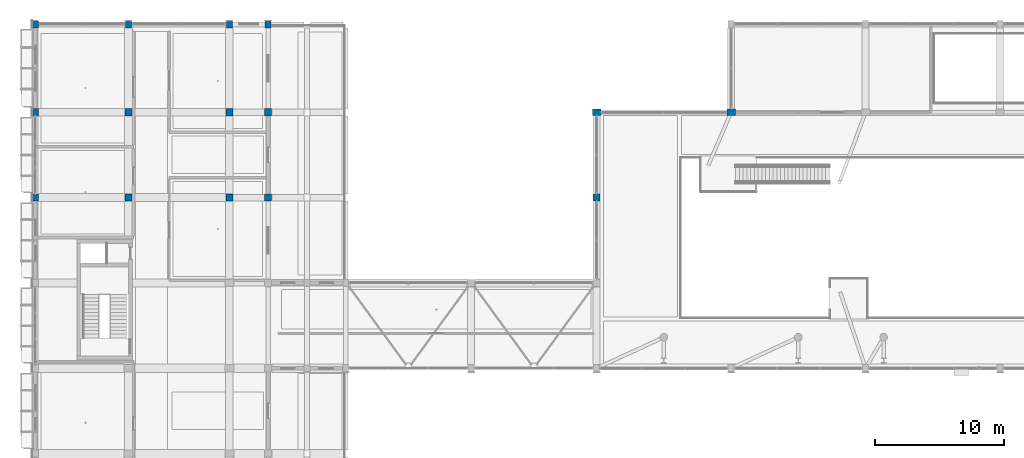
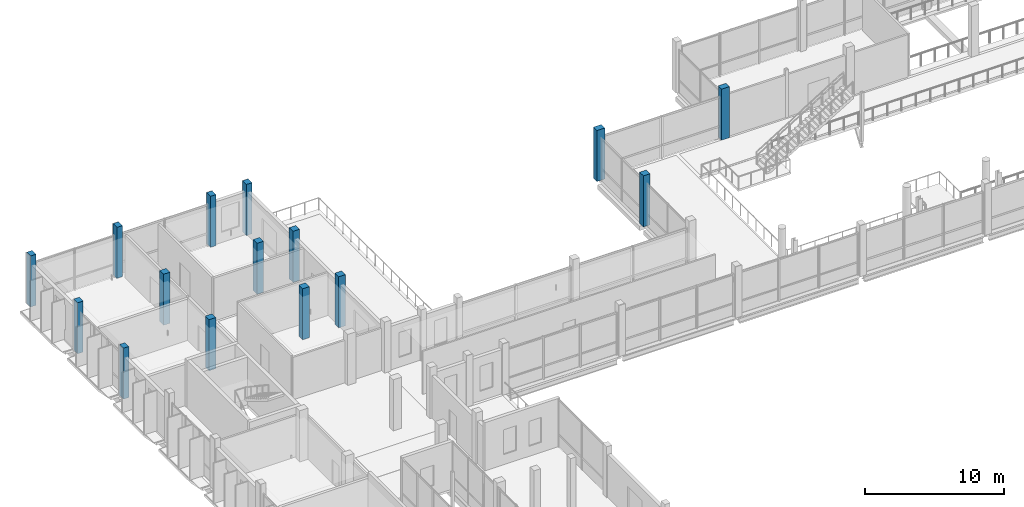
# One storey, part 7 of 95: 15 columns.
"""IFC4 building model written with IfcOpenShell, lengths in metres."""

import ifcopenshell
import ifcopenshell.guid

model = None  # the IFC model being written
_history = None  # IfcOwnerHistory: only IFC2X3 demands one
_inside = {}  # id of a spatial element -> (the spatial element, [elements in it])
_under = {}  # id of a project, library or spatial element -> (it, [spatial elements below it])
_declared = {}  # id of a project -> (the project, [libraries it declares])
_typed = {}  # id of a type object -> (the type object, [elements of that type])
_made_of = {}  # id of a material, layer set ... -> (it, [elements and type objects made of it])


def new_model(schema):
    """Start an empty IFC model of exactly this schema.

    Asked for "IFC4X3", IfcOpenShell would pick the latest addendum, in which some entities
    have other attributes; the version numbers below select the first issue.
    IFC2X3 requires an IfcOwnerHistory on every rooted entity: one is made here for all.
    """
    global model, _history
    if schema == "IFC4X3":
        model = ifcopenshell.file(schema_version=(4, 3, 0, 0))
    else:
        model = ifcopenshell.file(schema=schema)
    _inside.clear()
    _under.clear()
    _declared.clear()
    _typed.clear()
    _made_of.clear()
    _history = None
    if model.schema == "IFC2X3":
        org = make("IfcOrganization", Name="unknown")
        user = make(
            "IfcPersonAndOrganization",
            ThePerson=make("IfcPerson", FamilyName="unknown"),
            TheOrganization=org,
        )
        app = make(
            "IfcApplication",
            ApplicationDeveloper=org,
            Version="unknown",
            ApplicationFullName="unknown",
            ApplicationIdentifier="unknown",
        )
        _history = make(
            "IfcOwnerHistory",
            OwningUser=user,
            OwningApplication=app,
            ChangeAction="ADDED",
            CreationDate=0,
        )
    return model


def make(cls, **values):
    """One entity of the class cls with the attributes given. An attribute that is None is left unset."""
    return model.create_entity(
        cls, **{name: value for name, value in values.items() if value is not None}
    )


def rooted(cls, **values):
    """An entity with a GlobalId (a new one), such as an element, a storey or a relation."""
    return make(cls, GlobalId=ifcopenshell.guid.new(), OwnerHistory=_history, **values)


def si_unit(unit_type, name, prefix=None):
    """IfcSIUnit, for example si_unit("LENGTHUNIT", "METRE", prefix="MILLI")."""
    return make("IfcSIUnit", UnitType=unit_type, Prefix=prefix, Name=name)


def derived_unit(unit_type, elements):
    """IfcDerivedUnit: a product of units, each with its exponent."""
    return make(
        "IfcDerivedUnit",
        Elements=[
            make("IfcDerivedUnitElement", Unit=unit, Exponent=power)
            for unit, power in elements
        ],
        UnitType=unit_type,
    )


def assignment(units):
    """IfcUnitAssignment: the units of a project."""
    return None if units is None else make("IfcUnitAssignment", Units=units)


def point(xyz):
    """IfcCartesianPoint."""
    return None if xyz is None else make("IfcCartesianPoint", Coordinates=xyz)


def direction(xyz):
    """IfcDirection."""
    return None if xyz is None else make("IfcDirection", DirectionRatios=xyz)


def frame(location, z_axis=None, x_axis=None):
    """IfcAxis2Placement3D, a coordinate frame: its origin and axes. An axis left out is left unset."""
    return make(
        "IfcAxis2Placement3D",
        Location=point(location),
        Axis=direction(z_axis),
        RefDirection=direction(x_axis),
    )


def frame_2d(location, x_axis=None):
    """IfcAxis2Placement2D, a coordinate frame in the plane: its origin and x axis."""
    return make(
        "IfcAxis2Placement2D", Location=point(location), RefDirection=direction(x_axis)
    )


def origin():
    """The frame at (0, 0, 0) with its axes left unset."""
    return frame((0.0, 0.0, 0.0))


def origin_2d():
    """The frame at (0, 0) in the plane with its x axis left unset."""
    return frame_2d((0.0, 0.0))


def place(relative_to, where):
    """IfcLocalPlacement: puts the frame where relative to a parent placement (None: the world)."""
    return make(
        "IfcLocalPlacement", PlacementRelTo=relative_to, RelativePlacement=where
    )


def context(
    kind, dimensions, precision=None, world=None, true_north=None, identifier=None
):
    """IfcGeometricRepresentationContext, for example the 3D "Model" context."""
    return make(
        "IfcGeometricRepresentationContext",
        ContextIdentifier=identifier,
        ContextType=kind,
        CoordinateSpaceDimension=dimensions,
        Precision=precision,
        WorldCoordinateSystem=world,
        TrueNorth=true_north,
    )


def subcontext(parent, identifier, kind, view, scale=None):
    """IfcGeometricRepresentationSubContext, for example "Body" below "Model"."""
    return make(
        "IfcGeometricRepresentationSubContext",
        ContextIdentifier=identifier,
        ContextType=kind,
        ParentContext=parent,
        TargetScale=scale,
        TargetView=view,
    )


def project(units=None, contexts=None):
    """IfcProject with its units and contexts."""
    return rooted(
        "IfcProject",
        Name="project",
        RepresentationContexts=contexts,
        UnitsInContext=assignment(units),
    )


def spatial(cls, under=None, at=None, **own):
    """A site, building, storey or space (cls), placed at a placement, below another one or the project."""
    s = rooted(cls, ObjectPlacement=at, **own)
    if under is not None:
        _under.setdefault(under.id(), (under, []))[1].append(s)
    return s


def profile(cls, at=None, kind="AREA", **sizes):
    """A parametric profile (cls). Its sizes go by their IFC names, for example OverallWidth=200.0."""
    return make(cls, ProfileType=kind, Position=at, **sizes)


def rectangle(**sizes):
    """IfcRectangleProfileDef."""
    return profile("IfcRectangleProfileDef", **sizes)


def extrude(swept, where, along, depth):
    """IfcExtrudedAreaSolid: the profile swept, set in the frame where, extruded along a direction by depth."""
    return make(
        "IfcExtrudedAreaSolid",
        SweptArea=swept,
        Position=where,
        ExtrudedDirection=direction(along),
        Depth=depth,
    )


def shape(context_of_items, identifier, shape_type, items):
    """IfcShapeRepresentation: the items that make up one representation, for example the "Body"."""
    return make(
        "IfcShapeRepresentation",
        ContextOfItems=context_of_items,
        RepresentationIdentifier=identifier,
        RepresentationType=shape_type,
        Items=items,
    )


def material(Name=None, Category=None):
    """IfcMaterial."""
    return make("IfcMaterial", Name=Name, Category=Category)


def material_profile(
    of_material, cross_section, Name=None, Category=None, Priority=None
):
    """IfcMaterialProfile: a cross section and its material."""
    return make(
        "IfcMaterialProfile",
        Name=Name,
        Material=of_material,
        Profile=cross_section,
        Priority=Priority,
        Category=Category,
    )


def profile_set(profiles, Name=None, composite=None):
    """IfcMaterialProfileSet."""
    return make(
        "IfcMaterialProfileSet",
        Name=Name,
        MaterialProfiles=profiles,
        CompositeProfile=composite,
    )


def made_of(thing, what):
    """Note that an element or type object is made of a material, layer set ...; save() writes the relation."""
    if what is not None:
        _made_of.setdefault(what.id(), (what, []))[1].append(thing)
    return thing


def type_object(cls, material=None, **own):
    """A type object (cls), such as IfcWallType, which elements share."""
    return made_of(rooted(cls, **own), material)


def element(
    cls,
    number,
    at=None,
    inside=None,
    cuts=None,
    type_object=None,
    material=None,
    context=None,
    identifier="Body",
    shape_type=None,
    held_by="IfcProductDefinitionShape",
    body=None,
    shapes=None,
    **own,
):
    """One element of the class cls, such as IfcWall. Its Tag is "e" and its number.

    at: its placement. inside: the storey or other place that contains it. cuts: it is an
    opening in that element (IfcRelVoidsElement). A single representation is given by context,
    identifier, shape_type and body (its items); several are given by shapes. held_by: the class
    of the entity that holds the representations. save() writes the other relations.
    """
    e = rooted(cls, Tag="e%d" % number, ObjectPlacement=at, **own)
    if body is not None:
        shapes = [shape(context, identifier, shape_type, body)]
    if shapes is not None:
        e.Representation = make(held_by, Representations=shapes)
    if inside is not None:
        _inside.setdefault(inside.id(), (inside, []))[1].append(e)
    if cuts is not None:
        rooted(
            "IfcRelVoidsElement", RelatingBuildingElement=cuts, RelatedOpeningElement=e
        )
    if type_object is not None:
        _typed.setdefault(type_object.id(), (type_object, []))[1].append(e)
    return made_of(e, material)


def aggregate(whole, parts):
    """IfcRelAggregates: a whole, such as a stair, and the parts it consists of."""
    return rooted("IfcRelAggregates", RelatingObject=whole, RelatedObjects=parts)


def save(model, path):
    """Write the relations noted so far, then the file.

    IfcRelAggregates (storeys below a building ...), IfcRelContainedInSpatialStructure (elements
    in a storey), IfcRelDefinesByType, IfcRelAssociatesMaterial and IfcRelDeclares: one each for
    every whole, place, type object, material and project.
    """
    for whole, parts in _under.values():
        aggregate(whole, parts)
    for where, things in _inside.values():
        rooted(
            "IfcRelContainedInSpatialStructure",
            RelatedElements=things,
            RelatingStructure=where,
        )
    for kind, things in _typed.values():
        rooted("IfcRelDefinesByType", RelatedObjects=things, RelatingType=kind)
    for what, things in _made_of.values():
        rooted("IfcRelAssociatesMaterial", RelatedObjects=things, RelatingMaterial=what)
    for by, libraries in _declared.values():
        rooted("IfcRelDeclares", RelatingContext=by, RelatedDefinitions=libraries)
    model.write(path)


model = new_model("IFC4")

# Units and contexts
model_context = context("Model", 3, precision=1e-05, world=origin(), true_north=direction((0.0, 1.0)))
body_context = subcontext(model_context, "Body", "Model", "MODEL_VIEW")
ifc_project = project(units=[si_unit("LENGTHUNIT", "METRE"), si_unit("AREAUNIT", "SQUARE_METRE"), si_unit("VOLUMEUNIT", "CUBIC_METRE"), si_unit("PLANEANGLEUNIT", "RADIAN"), si_unit("MASSUNIT", "GRAM", prefix="KILO"), derived_unit("THERMALTRANSMITTANCEUNIT", [(si_unit("POWERUNIT", "WATT"), 1), (si_unit("LENGTHUNIT", "METRE"), -2), (si_unit("THERMODYNAMICTEMPERATUREUNIT", "KELVIN"), -1)])], contexts=[model_context])

# Site, building, storey
site_placement = place(None, origin())
site = spatial("IfcSite", under=ifc_project, at=site_placement, CompositionType="ELEMENT")
building_placement = place(site_placement, origin())
building = spatial("IfcBuilding", under=site, at=building_placement, Name="Braskholm Square Health Centre", CompositionType="ELEMENT")
storey_placement = place(building_placement, frame((0.0, 0.0, 4.800048828125)))
storey = spatial("IfcBuildingStorey", under=building, at=storey_placement, Name="L02", CompositionType="ELEMENT", Elevation=4.800048828125)

# Columns
ifc_material_1 = material(Name="Concrete C40/50 (f'c = 40 MPa)", Category="concrete")
ifc_material_profile_1 = material_profile(ifc_material_1, rectangle(XDim=0.64990234375, YDim=0.5, at=origin_2d()), Name="RC-650X500")
ifc_profile_set_1 = profile_set([ifc_material_profile_1], Name="Concrete C40/50 (f'c = 40 MPa)")
column_type_1 = type_object("IfcColumnType", Name="ColHallPier650x500", PredefinedType="COLUMN", material=ifc_profile_set_1)
for number, where, z_axis, x_axis, name in (
    (1, (47.60009765625, 107.0, 0.0), (0.0, 0.0, 1.0), (1.0, 0.0, 0.0), "Column 8/R L02"),
    (2, (58.0, 107.0, 0.0), (0.0, 0.0, 1.0), (1.0, 0.0, 0.0), "Column 9/R L02"),
):
    element("IfcColumn", number, at=place(storey_placement, frame(where, z_axis=z_axis, x_axis=x_axis)), inside=storey, type_object=column_type_1, Name=name, PredefinedType="COLUMN", context=body_context, shape_type="SweptSolid", body=[
        extrude(rectangle(XDim=0.64990234375, YDim=0.5, at=origin_2d()), origin(), (0.0, 0.0, 1.0), 4.5),
    ])
ifc_material_profile_2 = material_profile(ifc_material_1, rectangle(XDim=0.550048828125, YDim=0.550048828125, at=origin_2d()), Name="RC-550X550")
ifc_profile_set_2 = profile_set([ifc_material_profile_2], Name="Concrete C40/50 (f'c = 40 MPa)")
column_type_2 = type_object("IfcColumnType", Name="ColInteriorMid550", PredefinedType="COLUMN", material=ifc_profile_set_2)
for number, where, z_axis, x_axis, name in (
    (3, (11.39990234375, 100.39990234375, 0.0), (0.0, 0.0, 1.0), (1.0, 0.0, 0.0), "Column 2/Q L02"),
    (4, (11.39990234375, 107.0, 0.0), (0.0, 0.0, 1.0), (1.0, 0.0, 0.0), "Column 2/R L02"),
    (5, (19.199951171875, 100.39990234375, 0.0), (0.0, 0.0, 1.0), (1.0, 0.0, 0.0), "Column 3/Q L02"),
    (6, (19.199951171875, 107.0, 0.0), (0.0, 0.0, 1.0), (1.0, 0.0, 0.0), "Column 3/R L02"),
    (7, (22.199951171875, 100.39990234375, 0.0), (0.0, 0.0, 1.0), (1.0, 0.0, 0.0), "Column 4/Q L02"),
    (8, (22.199951171875, 107.0, 0.0), (0.0, 0.0, 1.0), (1.0, 0.0, 0.0), "Column 4/R L02"),
    (9, (47.60009765625, 100.39990234375, 0.0), (0.0, 0.0, 1.0), (1.0, 0.0, 0.0), "Column 8/Q L02"),
):
    element("IfcColumn", number, at=place(storey_placement, frame(where, z_axis=z_axis, x_axis=x_axis)), inside=storey, type_object=column_type_2, Name=name, PredefinedType="COLUMN", context=body_context, shape_type="SweptSolid", body=[
        extrude(rectangle(XDim=0.550048828125, YDim=0.550048828125, at=origin_2d()), origin(), (0.0, 0.0, 1.0), 4.5),
    ])
ifc_material_2 = material(Name="Precast concrete C40/50 architectural white", Category="concrete")
ifc_material_profile_3 = material_profile(ifc_material_2, rectangle(XDim=0.4599609375, YDim=0.56005859375, at=origin_2d()), Name="RC-460X560")
ifc_profile_set_3 = profile_set([ifc_material_profile_3], Name="Precast concrete C40/50 architectural white")
column_type_3 = type_object("IfcColumnType", Name="ColPrecastFrame460x560", PredefinedType="COLUMN", material=ifc_profile_set_3)
for number, where, z_axis, x_axis, name in (
    (10, (4.199951171875, 100.39990234375, 0.0), (0.0, 0.0, 1.0), (1.0, 0.0, 0.0), "Column 1/Q L02"),
    (11, (4.199951171875, 107.0, 0.0), (0.0, 0.0, 1.0), (1.0, 0.0, 0.0), "Column 1/R L02"),
    (12, (4.199951171875, 113.800048828125, 0.0), (0.0, 0.0, 1.0), (1.0, 0.0, 0.0), "Column 1/S L02"),
    (13, (11.39990234375, 113.800048828125, 0.0), (0.0, 0.0, 1.0), (1.0, 0.0, 0.0), "Column 2/S L02"),
    (14, (19.199951171875, 113.800048828125, 0.0), (0.0, 0.0, 1.0), (1.0, 0.0, 0.0), "Column 3/S L02"),
    (15, (22.199951171875, 113.800048828125, 0.0), (0.0, 0.0, 1.0), (1.0, 0.0, 0.0), "Column 4/S L02"),
):
    element("IfcColumn", number, at=place(storey_placement, frame(where, z_axis=z_axis, x_axis=x_axis)), inside=storey, type_object=column_type_3, Name=name, PredefinedType="COLUMN", context=body_context, shape_type="SweptSolid", body=[
        extrude(rectangle(XDim=0.4599609375, YDim=0.56005859375, at=origin_2d()), origin(), (0.0, 0.0, 1.0), 4.5),
    ])

save(model, "model.ifc")
